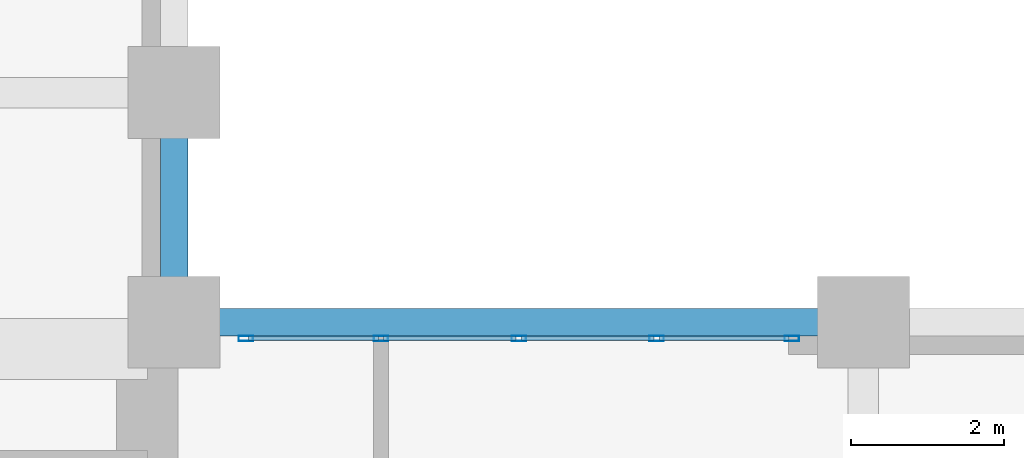
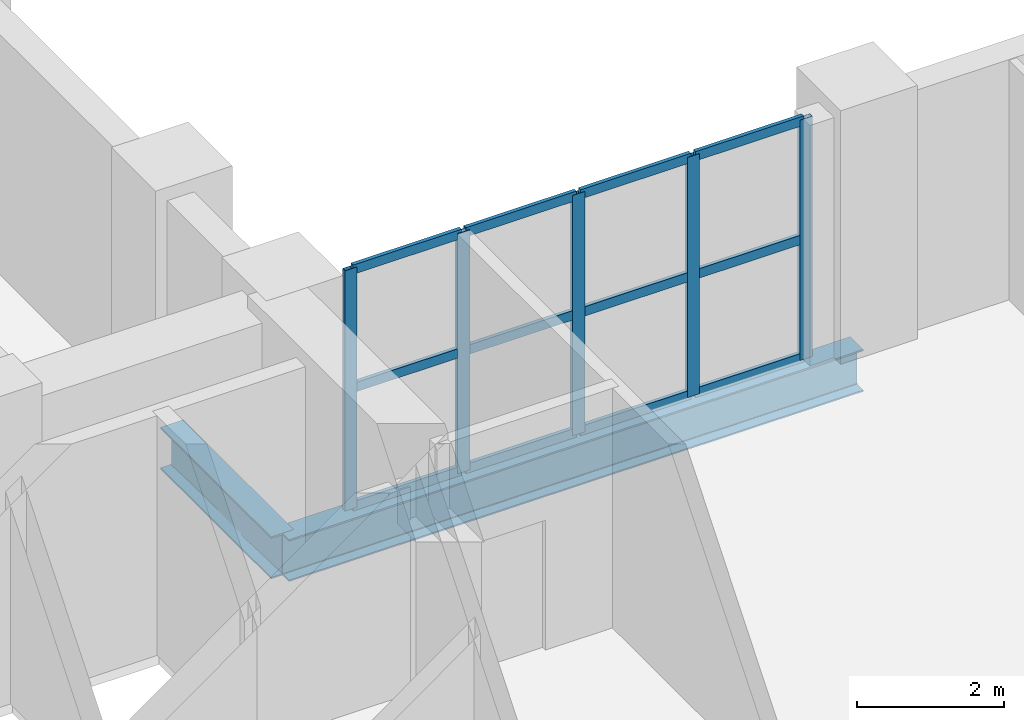
# One storey, part 2 of 8: 17 members, 2 beams, 1 element without a shape of its own.
"""IFC4 building model written with IfcOpenShell, lengths in metres."""

from ifc_helpers import new_model, si_unit, direction, frame, origin, origin_2d, place, context, subcontext, project, spatial, hollow_rectangle, i_section, extrude, material, layer, layer_set, material_profile, profile_set, type_object, element, aggregate, save


model = new_model("IFC4")

# Units and contexts
model_context = context("Model", 3, precision=1e-05, world=origin(), true_north=direction((0.0, 1.0)))
body_context = subcontext(model_context, "Body", "Model", "MODEL_VIEW")
ifc_project = project(units=[si_unit("LENGTHUNIT", "METRE"), si_unit("AREAUNIT", "SQUARE_METRE"), si_unit("VOLUMEUNIT", "CUBIC_METRE"), si_unit("PLANEANGLEUNIT", "RADIAN"), si_unit("MASSUNIT", "GRAM", prefix="KILO")], contexts=[model_context])

# Site, building, storey
site_placement = place(None, origin())
site = spatial("IfcSite", under=ifc_project, at=site_placement, CompositionType="ELEMENT")
building_placement = place(site_placement, origin())
building = spatial("IfcBuilding", under=site, at=building_placement, Name="Mawjdan Bourse Tower", CompositionType="ELEMENT")
storey_placement = place(building_placement, frame((0.0, 0.0, 76.199951171875)))
storey = spatial("IfcBuildingStorey", under=building, at=storey_placement, Name="L17", CompositionType="ELEMENT", Elevation=76.199951171875)

# Curtain wall, members
ifc_material_1 = material(Name="Thermally Broken Aluminium and Solar Glass", Category="aluminium")
ifc_layer = layer(ifc_material_1, 0.219970703125)
ifc_layer_set = layer_set([ifc_layer], Name="Thermally Broken Aluminium and Solar Glass")
curtain_wall_type = type_object("IfcCurtainWallType", Name="CW-ATR", PredefinedType="USERDEFINED", material=ifc_layer_set)
curtain_wall_placement = place(storey_placement, origin())
curtain_wall = element("IfcCurtainWall", 1, at=curtain_wall_placement, inside=storey, type_object=curtain_wall_type, Name="L17 Northeast Atrium Court Curtain Wall", ObjectType="ATRIUM GLAZED CURTAIN WALL", PredefinedType="USERDEFINED")
ifc_material_2 = material(Name="Thermally Broken Anodised Aluminium", Category="aluminium")
ifc_material_profile_1 = material_profile(ifc_material_2, hollow_rectangle(XDim=0.070068359375, YDim=0.18994140625, WallThickness=0.00439453125, at=origin_2d()), Name="ALU-MUL-190X70")
ifc_profile_set_1 = profile_set([ifc_material_profile_1], Name="Thermally Broken Anodised Aluminium")
member_type_1 = type_object("IfcMemberType", Name="MUL-ALU-MUL-190X70", PredefinedType="MULLION", material=ifc_profile_set_1)
member_1_placement = place(storey_placement, frame((32.06494140625, 20.7900390625, 0.0), z_axis=(0.0, 0.0, 1.0), x_axis=(0.0, -1.0, 0.0)))
member_1 = element("IfcMember", 2, at=member_1_placement, type_object=member_type_1, Name="CW-ATR-L17-ATR-NE mullion 1", PredefinedType="MULLION", context=body_context, shape_type="SweptSolid", body=[
    extrude(hollow_rectangle(XDim=0.070068359375, YDim=0.18994140625, WallThickness=0.00439453125, at=origin_2d()), origin(), (0.0, 0.0, 1.0), 3.97998046875),
])
member_2_placement = place(storey_placement, frame((30.300048828125, 20.7900390625, 0.0), z_axis=(0.0, 0.0, 1.0), x_axis=(0.0, -1.0, 0.0)))
member_2 = element("IfcMember", 3, at=member_2_placement, type_object=member_type_1, Name="CW-ATR-L17-ATR-NE mullion 2", PredefinedType="MULLION", context=body_context, shape_type="SweptSolid", body=[
    extrude(hollow_rectangle(XDim=0.070068359375, YDim=0.18994140625, WallThickness=0.00439453125, at=origin_2d()), origin(), (0.0, 0.0, 1.0), 3.97998046875),
])
member_3_placement = place(storey_placement, frame((28.5, 20.7900390625, 0.0), z_axis=(0.0, 0.0, 1.0), x_axis=(0.0, -1.0, 0.0)))
member_3 = element("IfcMember", 4, at=member_3_placement, type_object=member_type_1, Name="CW-ATR-L17-ATR-NE mullion 3", PredefinedType="MULLION", context=body_context, shape_type="SweptSolid", body=[
    extrude(hollow_rectangle(XDim=0.070068359375, YDim=0.18994140625, WallThickness=0.00439453125, at=origin_2d()), origin(), (0.0, 0.0, 1.0), 3.97998046875),
])
member_4_placement = place(storey_placement, frame((26.699951171875, 20.7900390625, 0.0), z_axis=(0.0, 0.0, 1.0), x_axis=(0.0, -1.0, 0.0)))
member_4 = element("IfcMember", 5, at=member_4_placement, type_object=member_type_1, Name="CW-ATR-L17-ATR-NE mullion 4", PredefinedType="MULLION", context=body_context, shape_type="SweptSolid", body=[
    extrude(hollow_rectangle(XDim=0.070068359375, YDim=0.18994140625, WallThickness=0.00439453125, at=origin_2d()), origin(), (0.0, 0.0, 1.0), 3.97998046875),
])
member_5_placement = place(storey_placement, frame((24.93505859375, 20.7900390625, 0.0), z_axis=(0.0, 0.0, 1.0), x_axis=(0.0, -1.0, 0.0)))
member_5 = element("IfcMember", 6, at=member_5_placement, type_object=member_type_1, Name="CW-ATR-L17-ATR-NE mullion 5", PredefinedType="MULLION", context=body_context, shape_type="SweptSolid", body=[
    extrude(hollow_rectangle(XDim=0.070068359375, YDim=0.18994140625, WallThickness=0.00439453125, at=origin_2d()), origin(), (0.0, 0.0, 1.0), 3.97998046875),
])

# Beams
ifc_material_3 = material(Name="Structural Steel S355", Category="steel")
ifc_material_profile_2 = material_profile(ifc_material_3, i_section(OverallWidth=0.35498046875, OverallDepth=0.696044921875, WebThickness=0.015380859375, FlangeThickness=0.02490234375, FilletRadius=0.019775390625, at=origin_2d()), Name="W27X146")
ifc_profile_set_2 = profile_set([ifc_material_profile_2], Name="Structural Steel S355")
beam_type = type_object("IfcBeamType", Name="SPN-W27X146", PredefinedType="SPANDREL", material=ifc_profile_set_2)
beam_1_placement = place(storey_placement, frame((24.0, 21.0, -0.56787109375), z_axis=(1.0, 0.0, 0.0), x_axis=(0.0, 1.0, 0.0)))
element("IfcBeam", 7, at=beam_1_placement, inside=storey, type_object=beam_type, Name="L17 Perimeter Masonry-Shelf Spandrel 018", PredefinedType="SPANDREL", context=body_context, shape_type="SweptSolid", body=[
    extrude(i_section(OverallWidth=0.35498046875, OverallDepth=0.696044921875, WebThickness=0.015380859375, FlangeThickness=0.02490234375, FilletRadius=0.019775390625, at=origin_2d()), origin(), (0.0, 0.0, 1.0), 9.0),
])
beam_2_placement = place(storey_placement, frame((24.0, 21.0, -0.56787109375), z_axis=(0.0, 1.0, 0.0), x_axis=(-1.0, 0.0, 0.0)))
element("IfcBeam", 8, at=beam_2_placement, inside=storey, type_object=beam_type, Name="L17 North Wing Spandrel 083", PredefinedType="SPANDREL", context=body_context, shape_type="SweptSolid", body=[
    extrude(i_section(OverallWidth=0.35498046875, OverallDepth=0.696044921875, WebThickness=0.015380859375, FlangeThickness=0.02490234375, FilletRadius=0.019775390625, at=origin_2d()), origin(), (0.0, 0.0, 1.0), 3.0),
])

# Member
ifc_material_profile_3 = material_profile(ifc_material_2, hollow_rectangle(XDim=0.06005859375, YDim=0.155029296875, WallThickness=0.00390625, at=origin_2d()), Name="ALU-TRN-155X60")
ifc_profile_set_3 = profile_set([ifc_material_profile_3], Name="Thermally Broken Anodised Aluminium")
member_type_2 = type_object("IfcMemberType", Name="TRN-ALU-TRN-155X60", PredefinedType="USERDEFINED", material=ifc_profile_set_3)
member_6_placement = place(storey_placement, frame((32.030029296875, 20.7900390625, 0.030029296875), z_axis=(-1.0, 0.0, 0.0), x_axis=(0.0, -1.0, 0.0)))
member_6 = element("IfcMember", 9, at=member_6_placement, type_object=member_type_2, Name="CW-ATR-L17-ATR-NE transom 1.1", ObjectType="TRANSOM", PredefinedType="USERDEFINED", context=body_context, shape_type="SweptSolid", body=[
    extrude(hollow_rectangle(XDim=0.06005859375, YDim=0.155029296875, WallThickness=0.00390625, at=origin_2d()), origin(), (0.0, 0.0, 1.0), 1.695068359375),
])

member_7_placement = place(storey_placement, frame((32.030029296875, 20.7900390625, 1.989990234375), z_axis=(-1.0, 0.0, 0.0), x_axis=(0.0, -1.0, 0.0)))
member_7 = element("IfcMember", 10, at=member_7_placement, type_object=member_type_2, Name="CW-ATR-L17-ATR-NE transom 1.2", ObjectType="TRANSOM", PredefinedType="USERDEFINED", context=body_context, shape_type="SweptSolid", body=[
    extrude(hollow_rectangle(XDim=0.06005859375, YDim=0.155029296875, WallThickness=0.00390625, at=origin_2d()), origin(), (0.0, 0.0, 1.0), 1.695068359375),
])

member_8_placement = place(storey_placement, frame((32.030029296875, 20.7900390625, 3.949951171875), z_axis=(-1.0, 0.0, 0.0), x_axis=(0.0, -1.0, 0.0)))
member_8 = element("IfcMember", 11, at=member_8_placement, type_object=member_type_2, Name="CW-ATR-L17-ATR-NE transom 1.3", ObjectType="TRANSOM", PredefinedType="USERDEFINED", context=body_context, shape_type="SweptSolid", body=[
    extrude(hollow_rectangle(XDim=0.06005859375, YDim=0.155029296875, WallThickness=0.00390625, at=origin_2d()), origin(), (0.0, 0.0, 1.0), 1.695068359375),
])

member_9_placement = place(storey_placement, frame((30.264892578125, 20.7900390625, 0.030029296875), z_axis=(-1.0, 0.0, 0.0), x_axis=(0.0, -1.0, 0.0)))
member_9 = element("IfcMember", 12, at=member_9_placement, type_object=member_type_2, Name="CW-ATR-L17-ATR-NE transom 2.1", ObjectType="TRANSOM", PredefinedType="USERDEFINED", context=body_context, shape_type="SweptSolid", body=[
    extrude(hollow_rectangle(XDim=0.06005859375, YDim=0.155029296875, WallThickness=0.00390625, at=origin_2d()), origin(), (0.0, 0.0, 1.0), 1.72998046875),
])

member_10_placement = place(storey_placement, frame((30.264892578125, 20.7900390625, 1.989990234375), z_axis=(-1.0, 0.0, 0.0), x_axis=(0.0, -1.0, 0.0)))
member_10 = element("IfcMember", 13, at=member_10_placement, type_object=member_type_2, Name="CW-ATR-L17-ATR-NE transom 2.2", ObjectType="TRANSOM", PredefinedType="USERDEFINED", context=body_context, shape_type="SweptSolid", body=[
    extrude(hollow_rectangle(XDim=0.06005859375, YDim=0.155029296875, WallThickness=0.00390625, at=origin_2d()), origin(), (0.0, 0.0, 1.0), 1.72998046875),
])

member_11_placement = place(storey_placement, frame((30.264892578125, 20.7900390625, 3.949951171875), z_axis=(-1.0, 0.0, 0.0), x_axis=(0.0, -1.0, 0.0)))
member_11 = element("IfcMember", 14, at=member_11_placement, type_object=member_type_2, Name="CW-ATR-L17-ATR-NE transom 2.3", ObjectType="TRANSOM", PredefinedType="USERDEFINED", context=body_context, shape_type="SweptSolid", body=[
    extrude(hollow_rectangle(XDim=0.06005859375, YDim=0.155029296875, WallThickness=0.00390625, at=origin_2d()), origin(), (0.0, 0.0, 1.0), 1.72998046875),
])

member_12_placement = place(storey_placement, frame((28.465087890625, 20.7900390625, 0.030029296875), z_axis=(-1.0, 0.0, 0.0), x_axis=(0.0, -1.0, 0.0)))
member_12 = element("IfcMember", 15, at=member_12_placement, type_object=member_type_2, Name="CW-ATR-L17-ATR-NE transom 3.1", ObjectType="TRANSOM", PredefinedType="USERDEFINED", context=body_context, shape_type="SweptSolid", body=[
    extrude(hollow_rectangle(XDim=0.06005859375, YDim=0.155029296875, WallThickness=0.00390625, at=origin_2d()), origin(), (0.0, 0.0, 1.0), 1.72998046875),
])

member_13_placement = place(storey_placement, frame((28.465087890625, 20.7900390625, 1.989990234375), z_axis=(-1.0, 0.0, 0.0), x_axis=(0.0, -1.0, 0.0)))
member_13 = element("IfcMember", 16, at=member_13_placement, type_object=member_type_2, Name="CW-ATR-L17-ATR-NE transom 3.2", ObjectType="TRANSOM", PredefinedType="USERDEFINED", context=body_context, shape_type="SweptSolid", body=[
    extrude(hollow_rectangle(XDim=0.06005859375, YDim=0.155029296875, WallThickness=0.00390625, at=origin_2d()), origin(), (0.0, 0.0, 1.0), 1.72998046875),
])

member_14_placement = place(storey_placement, frame((28.465087890625, 20.7900390625, 3.949951171875), z_axis=(-1.0, 0.0, 0.0), x_axis=(0.0, -1.0, 0.0)))
member_14 = element("IfcMember", 17, at=member_14_placement, type_object=member_type_2, Name="CW-ATR-L17-ATR-NE transom 3.3", ObjectType="TRANSOM", PredefinedType="USERDEFINED", context=body_context, shape_type="SweptSolid", body=[
    extrude(hollow_rectangle(XDim=0.06005859375, YDim=0.155029296875, WallThickness=0.00390625, at=origin_2d()), origin(), (0.0, 0.0, 1.0), 1.72998046875),
])

member_15_placement = place(storey_placement, frame((26.6650390625, 20.7900390625, 0.030029296875), z_axis=(-1.0, 0.0, 0.0), x_axis=(0.0, -1.0, 0.0)))
member_15 = element("IfcMember", 18, at=member_15_placement, type_object=member_type_2, Name="CW-ATR-L17-ATR-NE transom 4.1", ObjectType="TRANSOM", PredefinedType="USERDEFINED", context=body_context, shape_type="SweptSolid", body=[
    extrude(hollow_rectangle(XDim=0.06005859375, YDim=0.155029296875, WallThickness=0.00390625, at=origin_2d()), origin(), (0.0, 0.0, 1.0), 1.695068359375),
])

member_16_placement = place(storey_placement, frame((26.6650390625, 20.7900390625, 1.989990234375), z_axis=(-1.0, 0.0, 0.0), x_axis=(0.0, -1.0, 0.0)))
member_16 = element("IfcMember", 19, at=member_16_placement, type_object=member_type_2, Name="CW-ATR-L17-ATR-NE transom 4.2", ObjectType="TRANSOM", PredefinedType="USERDEFINED", context=body_context, shape_type="SweptSolid", body=[
    extrude(hollow_rectangle(XDim=0.06005859375, YDim=0.155029296875, WallThickness=0.00390625, at=origin_2d()), origin(), (0.0, 0.0, 1.0), 1.695068359375),
])

member_17_placement = place(storey_placement, frame((26.6650390625, 20.7900390625, 3.949951171875), z_axis=(-1.0, 0.0, 0.0), x_axis=(0.0, -1.0, 0.0)))
member_17 = element("IfcMember", 20, at=member_17_placement, type_object=member_type_2, Name="CW-ATR-L17-ATR-NE transom 4.3", ObjectType="TRANSOM", PredefinedType="USERDEFINED", context=body_context, shape_type="SweptSolid", body=[
    extrude(hollow_rectangle(XDim=0.06005859375, YDim=0.155029296875, WallThickness=0.00390625, at=origin_2d()), origin(), (0.0, 0.0, 1.0), 1.695068359375),
])

aggregate(curtain_wall, [member_1, member_2, member_3, member_4, member_5, member_6, member_7, member_8, member_9, member_10, member_11, member_12, member_13, member_14, member_15, member_16, member_17])

save(model, "model.ifc")
